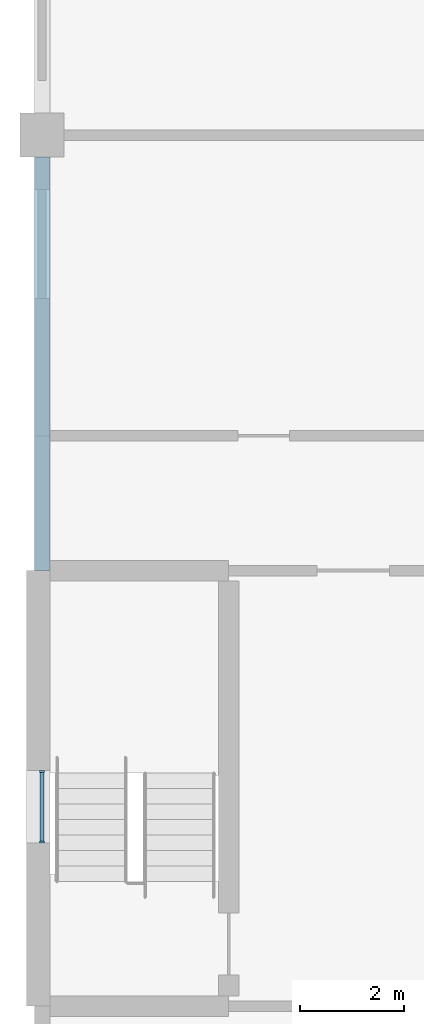
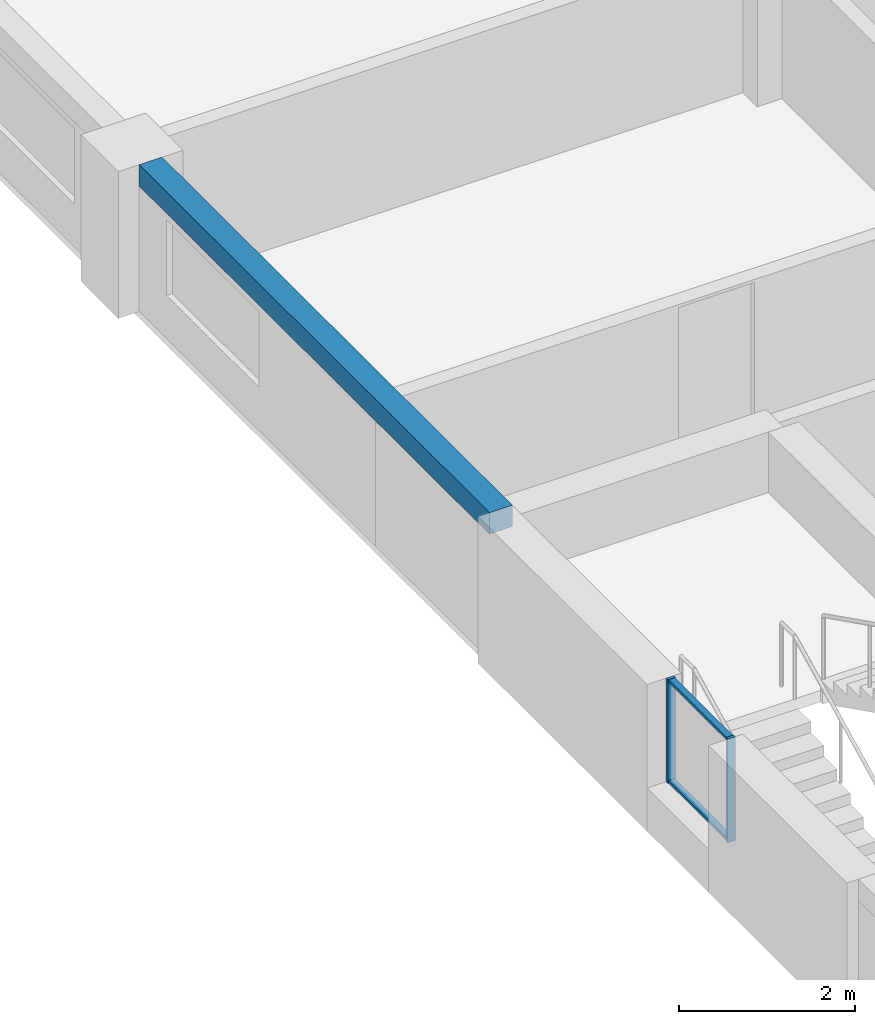
# One storey, part 2 of 48: 4 members, 1 beam, 1 element without a shape of its own.
"""IFC4 building model written with IfcOpenShell, lengths in metres."""

from ifc_helpers import new_model, si_unit, direction, frame, origin, origin_2d, place, context, subcontext, project, spatial, rectangle, extrude, material, material_profile, profile_set, type_object, element, aggregate, save


model = new_model("IFC4")

# Units and contexts
model_context = context("Model", 3, precision=1e-05, world=origin(), true_north=direction((0.0, 1.0)))
body_context = subcontext(model_context, "Body", "Model", "MODEL_VIEW")
ifc_project = project(units=[si_unit("LENGTHUNIT", "METRE"), si_unit("AREAUNIT", "SQUARE_METRE"), si_unit("VOLUMEUNIT", "CUBIC_METRE"), si_unit("PLANEANGLEUNIT", "RADIAN"), si_unit("MASSUNIT", "GRAM", prefix="KILO")], contexts=[model_context])

# Site, building, storey
site_placement = place(None, origin())
site = spatial("IfcSite", under=ifc_project, at=site_placement, CompositionType="ELEMENT")
building_placement = place(site_placement, origin())
building = spatial("IfcBuilding", under=site, at=building_placement, Name="Yavir Park General Hospital", CompositionType="ELEMENT")
storey_placement = place(building_placement, frame((0.0, 0.0, 12.89990234375)))
storey = spatial("IfcBuildingStorey", under=building, at=storey_placement, Name="I02", CompositionType="ELEMENT", Elevation=12.89990234375)

# Beam
ifc_material_1 = material(Name="Concrete C35/45", Category="concrete")
ifc_material_profile_1 = material_profile(ifc_material_1, rectangle(XDim=0.300048828125, YDim=0.300048828125, at=origin_2d()), Name="RC300x300")
ifc_profile_set_1 = profile_set([ifc_material_profile_1], Name="Concrete C35/45")
beam_type = type_object("IfcBeamType", Name="RC BEAM 300x300 edge beam", PredefinedType="BEAM", material=ifc_profile_set_1)
beam_placement = place(storey_placement, frame((0.0, 25.199951171875, 1.89013671875), z_axis=(0.0, 1.0, 0.0), x_axis=(-1.0, 0.0, 0.0)))
element("IfcBeam", 1, at=beam_placement, inside=storey, type_object=beam_type, Name="B:EDGE:I02:033", PredefinedType="BEAM", context=body_context, shape_type="SweptSolid", body=[
    extrude(rectangle(XDim=0.300048828125, YDim=0.300048828125, at=origin_2d()), origin(), (0.0, 0.0, 1.0), 7.97509765625),
])

# Curtain wall, members
ifc_material_2 = material(Name="Aluminium curtain wall frame with insulated glazing", Category="aluminium")
curtain_wall_type = type_object("IfcCurtainWallType", Name="Stair light slot, interstitial floor, 1440 high, 1400 module", PredefinedType="NOTDEFINED", material=ifc_material_2)
curtain_wall_placement = place(storey_placement, origin())
curtain_wall = element("IfcCurtainWall", 2, at=curtain_wall_placement, inside=storey, type_object=curtain_wall_type, Name="CW12 I02-008", PredefinedType="NOTDEFINED")
ifc_material_3 = material(Name="Aluminium", Category="aluminium")
ifc_material_profile_2 = material_profile(ifc_material_3, rectangle(XDim=0.10009765625, YDim=0.0400390625, at=origin_2d()), Name="AL 40x100")
ifc_profile_set_2 = profile_set([ifc_material_profile_2], Name="Aluminium")
member_type_1 = type_object("IfcMemberType", Name="Stair light slot, interstitial floor, 1440 high mullion 40 x 100", PredefinedType="MULLION", material=ifc_profile_set_2)
member_1_placement = place(storey_placement, frame((0.0, 19.969970703125, 0.60009765625), z_axis=(0.0, 0.0, 1.0), x_axis=(-1.0, 0.0, 0.0)))
member_1 = element("IfcMember", 3, at=member_1_placement, type_object=member_type_1, Name="CW12 mullion 1", PredefinedType="MULLION", context=body_context, shape_type="SweptSolid", body=[
    extrude(rectangle(XDim=0.10009765625, YDim=0.0400390625, at=origin_2d()), origin(), (0.0, 0.0, 1.0), 1.43994140625),
])
member_2_placement = place(storey_placement, frame((0.0, 21.330078125, 0.60009765625), z_axis=(0.0, 0.0, 1.0), x_axis=(-1.0, 0.0, 0.0)))
member_2 = element("IfcMember", 4, at=member_2_placement, type_object=member_type_1, Name="CW12 mullion 2", PredefinedType="MULLION", context=body_context, shape_type="SweptSolid", body=[
    extrude(rectangle(XDim=0.10009765625, YDim=0.0400390625, at=origin_2d()), origin(), (0.0, 0.0, 1.0), 1.43994140625),
])
ifc_material_4 = material(Name="Aluminium", Category="aluminium")
ifc_material_profile_3 = material_profile(ifc_material_4, rectangle(XDim=0.080078125, YDim=0.0400390625, at=origin_2d()), Name="AL 80x40")
ifc_profile_set_3 = profile_set([ifc_material_profile_3], Name="Aluminium")
member_type_2 = type_object("IfcMemberType", Name="Stair light slot, interstitial floor, 1440 high transom 40 x 80", PredefinedType="MULLION", material=ifc_profile_set_3)
member_3_placement = place(storey_placement, frame((0.0, 19.989990234375, 0.6201171875), z_axis=(0.0, 1.0, 0.0), x_axis=(-1.0, 0.0, 0.0)))
member_3 = element("IfcMember", 5, at=member_3_placement, type_object=member_type_2, Name="CW12 transom 1.1", PredefinedType="MULLION", context=body_context, shape_type="SweptSolid", body=[
    extrude(rectangle(XDim=0.080078125, YDim=0.0400390625, at=origin_2d()), origin(), (0.0, 0.0, 1.0), 1.320068359375),
])
member_4_placement = place(storey_placement, frame((0.0, 19.989990234375, 2.02001953125), z_axis=(0.0, 1.0, 0.0), x_axis=(-1.0, 0.0, 0.0)))
member_4 = element("IfcMember", 6, at=member_4_placement, type_object=member_type_2, Name="CW12 transom 1.2", PredefinedType="MULLION", context=body_context, shape_type="SweptSolid", body=[
    extrude(rectangle(XDim=0.080078125, YDim=0.0400390625, at=origin_2d()), origin(), (0.0, 0.0, 1.0), 1.320068359375),
])
aggregate(curtain_wall, [member_1, member_2, member_3, member_4])

save(model, "model.ifc")
